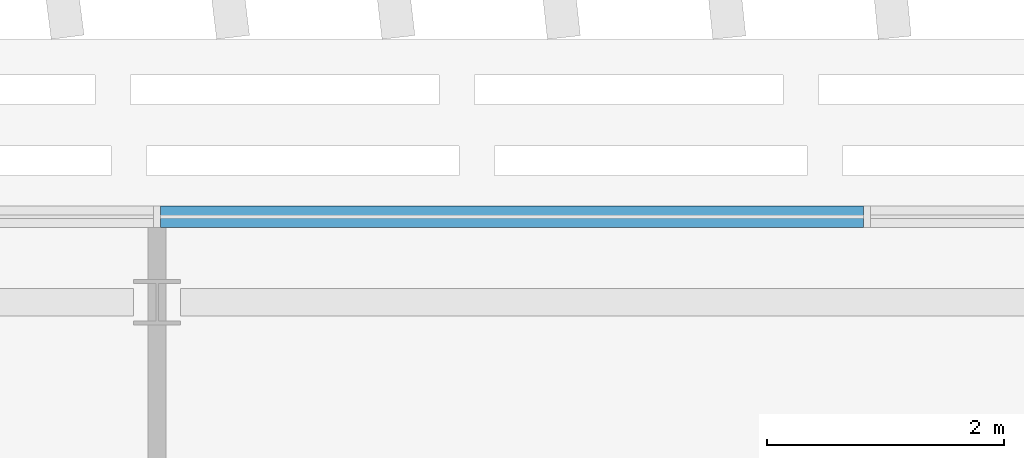
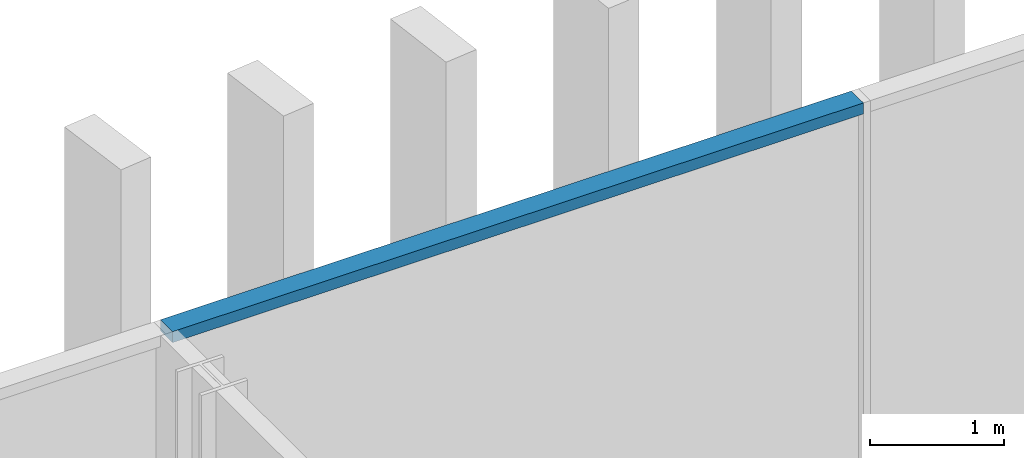
# One storey, part 11 of 34: 1 member, 1 element without a shape of its own.
"""IFC4 building model written with IfcOpenShell, lengths in metres."""

from ifc_helpers import new_model, si_unit, direction, frame, origin, origin_2d, place, context, subcontext, project, spatial, rectangle, extrude, material, material_profile, profile_set, type_object, element, aggregate, save


model = new_model("IFC4")

# Units and contexts
model_context = context("Model", 3, precision=1e-05, world=origin(), true_north=direction((0.0, 1.0)))
body_context = subcontext(model_context, "Body", "Model", "MODEL_VIEW")
ifc_project = project(units=[si_unit("LENGTHUNIT", "METRE"), si_unit("AREAUNIT", "SQUARE_METRE"), si_unit("VOLUMEUNIT", "CUBIC_METRE"), si_unit("PLANEANGLEUNIT", "RADIAN"), si_unit("MASSUNIT", "GRAM", prefix="KILO")], contexts=[model_context])

# Site, building, storey
site_placement = place(None, origin())
site = spatial("IfcSite", under=ifc_project, at=site_placement, CompositionType="ELEMENT")
building_placement = place(site_placement, origin())
building = spatial("IfcBuilding", under=site, at=building_placement, Name="Mahtab Terrace Research Tower", CompositionType="ELEMENT")
storey_placement = place(building_placement, frame((0.0, 0.0, 247.60009765625)))
storey = spatial("IfcBuildingStorey", under=building, at=storey_placement, Name="L60", CompositionType="ELEMENT", Elevation=247.60009765625)

# Curtain wall, member
ifc_material_1 = material(Name="Office ribbon curtain wall")
curtain_wall_type = type_object("IfcCurtainWallType", Name="Office ribbon curtain wall", PredefinedType="NOTDEFINED", material=ifc_material_1)
curtain_wall_placement = place(storey_placement, origin())
curtain_wall = element("IfcCurtainWall", 1, at=curtain_wall_placement, inside=storey, type_object=curtain_wall_type, Name="EN.L60.3.3", PredefinedType="NOTDEFINED")
ifc_material_2 = material(Name="Natural anodised aluminium", Category="aluminium")
ifc_material_profile = material_profile(ifc_material_2, rectangle(XDim=0.179931640625, YDim=0.10009765625, at=origin_2d()), Name="TRANSOM 100x180")
ifc_profile_set = profile_set([ifc_material_profile], Name="Natural anodised aluminium")
member_type = type_object("IfcMemberType", Name="Office ribbon curtain wall transom", PredefinedType="USERDEFINED", material=ifc_profile_set)
member_placement = place(storey_placement, frame((23.969970703125, 27.195068359375, 3.409912109375), z_axis=(-1.0, 0.0, 0.0), x_axis=(0.0, -1.0, 0.0)))
member = element("IfcMember", 2, at=member_placement, type_object=member_type, Name="CWO-7 transom 5", ObjectType="TRANSOM", PredefinedType="USERDEFINED", context=body_context, shape_type="SweptSolid", body=[
    extrude(rectangle(XDim=0.179931640625, YDim=0.10009765625, at=origin_2d()), origin(), (0.0, 0.0, 1.0), 5.93994140625),
])
aggregate(curtain_wall, [member])

save(model, "model.ifc")
